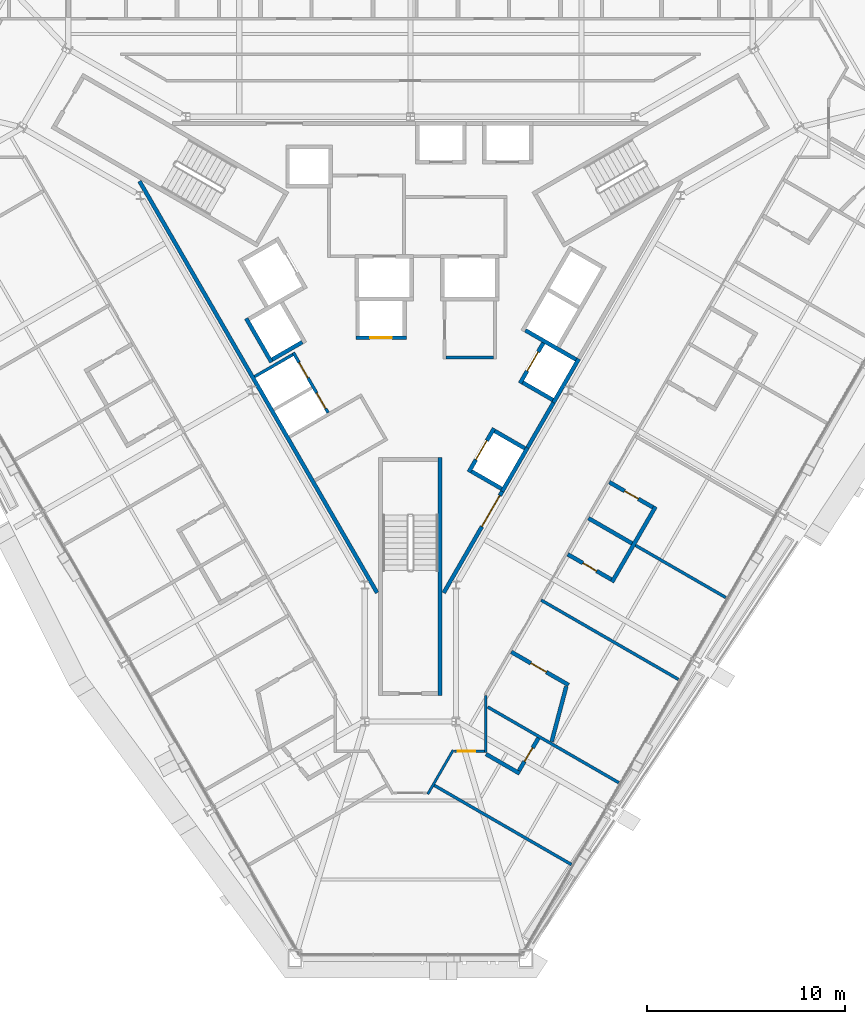
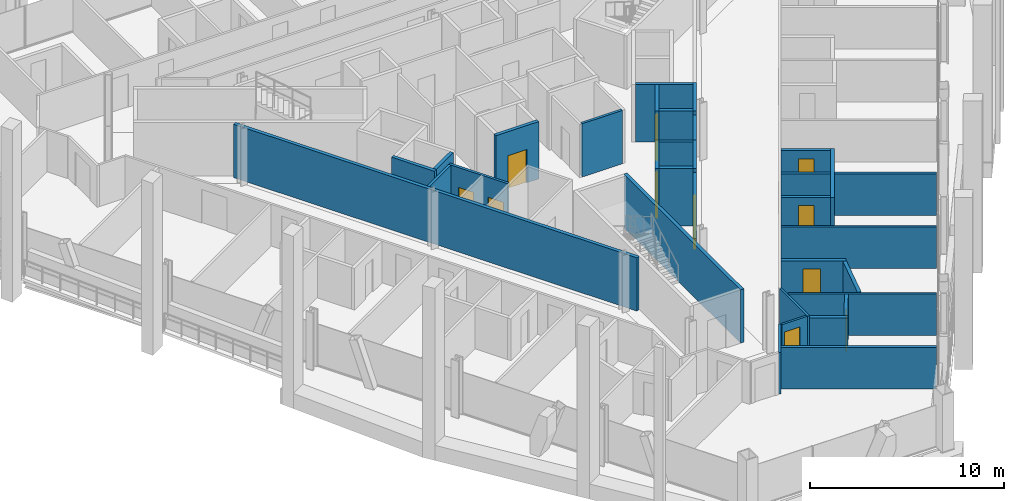
# One storey, part 12 of 19: 33 walls, 11 doors, 11 openings.
"""IFC4 building model written with IfcOpenShell, lengths in metres."""

from ifc_helpers import new_model, si_unit, direction, frame, frame_2d, origin, place, context, subcontext, project, spatial, rectangle, extrude, material, layer, layer_set, type_object, element, fill, save


model = new_model("IFC4")

# Units and contexts
model_context = context("Model", 3, precision=1e-05, world=origin(), true_north=direction((0.0, 1.0)))
body_context = subcontext(model_context, "Body", "Model", "MODEL_VIEW")
ifc_project = project(units=[si_unit("LENGTHUNIT", "METRE"), si_unit("AREAUNIT", "SQUARE_METRE"), si_unit("VOLUMEUNIT", "CUBIC_METRE"), si_unit("PLANEANGLEUNIT", "RADIAN"), si_unit("MASSUNIT", "GRAM", prefix="KILO")], contexts=[model_context])

# Site, building, storey
site_placement = place(None, origin())
site = spatial("IfcSite", under=ifc_project, at=site_placement, CompositionType="ELEMENT")
building_placement = place(site_placement, origin())
building = spatial("IfcBuilding", under=site, at=building_placement, Name="Verrane Prism Tower", CompositionType="ELEMENT")
storey_placement = place(building_placement, frame((0.0, 0.0, 76.39990234375)))
storey = spatial("IfcBuildingStorey", under=building, at=storey_placement, Name="L17", CompositionType="ELEMENT", Elevation=76.39990234375)

# Wall
ifc_material_1 = material(Name="Gypsum board partition", Category="other")
ifc_layer_1 = layer(ifc_material_1, 0.199951171875)
ifc_layer_set_1 = layer_set([ifc_layer_1], Name="CW-200 core boundary wall 2 h")
wall_type_1 = type_object("IfcWallType", Name="CW-200 core boundary wall 2 h", PredefinedType="PARTITIONING", material=ifc_layer_set_1)
wall_1_placement = place(storey_placement, frame((-13.66357421875, 5.946044921875, 0.0), z_axis=(0.0, 0.0, 1.0), x_axis=(0.499994327219, -0.866028678941, 0.0)))
element("IfcWall", 1, at=wall_1_placement, inside=storey, type_object=wall_type_1, Name="Core boundary wall CW3-001", PredefinedType="PARTITIONING", context=body_context, shape_type="SweptSolid", body=[
    extrude(rectangle(XDim=23.967529296875, YDim=0.199951171875, at=frame_2d((11.98388671875, 0.0))), origin(), (0.0, 0.0, 1.0), 3.35009765625),
])

# Wall, opening, door
wall_2_placement = place(storey_placement, frame((1.677490234375, -14.814697265625, 0.0), z_axis=(0.0, 0.0, 1.0), x_axis=(0.49999445743, 0.866028603765, 0.0)))
wall_2 = element("IfcWall", 2, at=wall_2_placement, inside=storey, type_object=wall_type_1, Name="Core boundary wall CW3-003", PredefinedType="PARTITIONING", context=body_context, shape_type="SweptSolid", body=[
    extrude(rectangle(XDim=5.90478515625, YDim=0.199951171875, at=frame_2d((2.952392578125, 0.0))), origin(), (0.0, 0.0, 1.0), 3.35009765625),
])
opening_1_placement = place(wall_2_placement, frame((3.85498046875, 0.0, 0.0)))
opening_1 = element("IfcOpeningElement", 3, at=opening_1_placement, cuts=wall_2, Name="Opening D17517", PredefinedType="OPENING", context=body_context, shape_type="SweptSolid", body=[
    extrude(rectangle(XDim=1.800048828125, YDim=2.10009765625, at=frame_2d((0.89990234375, 1.050048828125))), frame((0.0, 0.10986328125, 0.0), z_axis=(0.0, -1.0, 0.0), x_axis=(1.0, 0.0, 0.0)), (0.0, 0.0, 1.0), 0.219970703125),
])
ifc_material_2 = material(Name="Timber veneered door leaf", Category="wood")
door_type_1 = type_object("IfcDoorType", Name="DR-1800x2100 FD60 double leaf lift lobby", OperationType="NOTDEFINED", PredefinedType="DOOR", material=ifc_material_2)
door_1_placement = place(opening_1_placement, origin())
door_1 = element("IfcDoor", 4, at=door_1_placement, inside=storey, type_object=door_type_1, Name="Lift lobby door D17517", OperationType="DOUBLE_DOOR_SINGLE_SWING", OverallHeight=2.10009765625, OverallWidth=1.800048828125, PredefinedType="DOOR", context=body_context, shape_type="SweptSolid", body=[
    extrude(rectangle(XDim=1.800048828125, YDim=2.10009765625, at=frame_2d((0.89990234375, 1.050048828125))), frame((0.0, 0.02490234375, 0.0), z_axis=(0.0, -1.0, 0.0), x_axis=(1.0, 0.0, 0.0)), (0.0, 0.0, 1.0), 0.050048828125),
])
fill(opening_1, door_1)

# Walls
wall_3_placement = place(storey_placement, frame((5.906005859375, -7.489990234375, 0.0), z_axis=(0.0, 0.0, 1.0), x_axis=(0.500252727967, 0.865879442048, 0.0)))
element("IfcWall", 5, at=wall_3_placement, inside=storey, type_object=wall_type_1, Name="Core boundary wall CW3-005", PredefinedType="PARTITIONING", context=body_context, shape_type="SweptSolid", body=[
    extrude(rectangle(XDim=2.616943359375, YDim=0.199951171875, at=frame_2d((1.30859375, 0.0))), origin(), (0.0, 0.0, 1.0), 3.35009765625),
])
ifc_material_3 = material(Name="Concrete C40/50", Category="concrete")
ifc_layer_2 = layer(ifc_material_3, 0.199951171875)
ifc_layer_set_2 = layer_set([ifc_layer_2], Name="CW-200 stair core wall concrete C40/50 3 h")
wall_type_2 = type_object("IfcWallType", Name="CW-200 stair core wall concrete C40/50 3 h", PredefinedType="PARTITIONING", material=ifc_layer_set_2)
wall_4_placement = place(storey_placement, frame((1.5, -8.0, 0.0), z_axis=(0.0, 0.0, 1.0), x_axis=(0.0, -1.0, 0.0)))
element("IfcWall", 6, at=wall_4_placement, inside=storey, type_object=wall_type_2, Name="Stair 3 enclosure wall", PredefinedType="PARTITIONING", context=body_context, shape_type="SweptSolid", body=[
    extrude(rectangle(XDim=12.0, YDim=0.199951171875, at=frame_2d((6.0, 0.0))), origin(), (0.0, 0.0, 1.0), 3.35009765625),
])

# Wall, opening, door
ifc_material_4 = material(Name="Gypsum board shaft wall assembly", Category="other")
ifc_layer_3 = layer(ifc_material_4, 0.199951171875)
ifc_layer_set_3 = layer_set([ifc_layer_3], Name="HW-200 lift shaft wall 2 h")
wall_type_3 = type_object("IfcWallType", Name="HW-200 lift shaft wall 2 h", PredefinedType="PARTITIONING", material=ifc_layer_set_3)
wall_5_placement = place(storey_placement, frame((-2.7548828125, -1.949951171875, 0.0), z_axis=(0.0, 0.0, 1.0), x_axis=(1.0, 0.0, 0.0)))
wall_5 = element("IfcWall", 7, at=wall_5_placement, inside=storey, type_object=wall_type_3, Name="Lift shaft wall", PredefinedType="PARTITIONING", context=body_context, shape_type="SweptSolid", body=[
    extrude(rectangle(XDim=2.5498046875, YDim=0.199951171875, at=frame_2d((1.27490234375, 0.0))), origin(), (0.0, 0.0, 1.0), 3.60009765625),
])
opening_2_placement = place(wall_5_placement, frame((0.72509765625, 0.0, 0.0)))
opening_2 = element("IfcOpeningElement", 8, at=opening_2_placement, cuts=wall_5, Name="Opening D17504", PredefinedType="OPENING", context=body_context, shape_type="SweptSolid", body=[
    extrude(rectangle(XDim=1.10009765625, YDim=2.10009765625, at=frame_2d((0.550048828125, 1.050048828125))), frame((0.0, 0.10986328125, 0.0), z_axis=(0.0, -1.0, 0.0), x_axis=(1.0, 0.0, 0.0)), (0.0, 0.0, 1.0), 0.219970703125),
])
ifc_material_5 = material(Name="Stainless steel sliding landing door", Category="steel")
door_type_2 = type_object("IfcDoorType", Name="LD-1100x2100 lift landing door FD90 sliding", OperationType="NOTDEFINED", PredefinedType="DOOR", material=ifc_material_5)
door_2_placement = place(opening_2_placement, origin())
door_2 = element("IfcDoor", 9, at=door_2_placement, inside=storey, type_object=door_type_2, Name="Bank A lift 2 landing door", OperationType="SLIDING_TO_RIGHT", OverallHeight=2.10009765625, OverallWidth=1.10009765625, PredefinedType="DOOR", context=body_context, shape_type="SweptSolid", body=[
    extrude(rectangle(XDim=1.10009765625, YDim=2.10009765625, at=frame_2d((0.550048828125, 1.050048828125))), frame((0.0, 0.02490234375, 0.0), z_axis=(0.0, -1.0, 0.0), x_axis=(1.0, 0.0, 0.0)), (0.0, 0.0, 1.0), 0.050048828125),
])
fill(opening_2, door_2)

# Walls
wall_6_placement = place(storey_placement, frame((-6.9697265625, -3.048095703125, 0.0), z_axis=(0.0, 0.0, 1.0), x_axis=(0.866036909293, 0.499980071345, 0.0)))
element("IfcWall", 10, at=wall_6_placement, inside=storey, type_object=wall_type_3, Name="Lift shaft wall", PredefinedType="PARTITIONING", context=body_context, shape_type="SweptSolid", body=[
    extrude(rectangle(XDim=1.75, YDim=0.199951171875, at=frame_2d((0.875, 0.0))), origin(), (0.0, 0.0, 1.0), 3.60009765625),
])
wall_7_placement = place(storey_placement, frame((4.63037109375, -9.69970703125, 0.0), z_axis=(0.0, 0.0, 1.0), x_axis=(0.500062241894, 0.865989465428, 0.0)))
element("IfcWall", 11, at=wall_7_placement, inside=storey, type_object=wall_type_3, Name="Lift shaft wall", PredefinedType="PARTITIONING", context=body_context, shape_type="SweptSolid", body=[
    extrude(rectangle(XDim=2.550048828125, YDim=0.199951171875, at=frame_2d((1.27490234375, 0.0))), origin(), (0.0, 0.0, 1.0), 3.60009765625),
])
wall_8_placement = place(storey_placement, frame((7.215576171875, -5.222412109375, 0.0), z_axis=(0.0, 0.0, 1.0), x_axis=(0.499990435942, 0.866030925526, 0.0)))
element("IfcWall", 12, at=wall_8_placement, inside=storey, type_object=wall_type_3, Name="Lift shaft wall", PredefinedType="PARTITIONING", context=body_context, shape_type="SweptSolid", body=[
    extrude(rectangle(XDim=2.5498046875, YDim=0.199951171875, at=frame_2d((1.27490234375, 0.0))), origin(), (0.0, 0.0, 1.0), 3.60009765625),
])

# Wall, opening, door
wall_9_placement = place(storey_placement, frame((2.941650390625, -8.724853515625, 0.0), z_axis=(0.0, 0.0, 1.0), x_axis=(0.500020783669, 0.866013403995, 0.0)))
wall_9 = element("IfcWall", 13, at=wall_9_placement, inside=storey, type_object=wall_type_3, Name="Lift shaft wall", PredefinedType="PARTITIONING", context=body_context, shape_type="SweptSolid", body=[
    extrude(rectangle(XDim=2.55029296875, YDim=0.199951171875, at=frame_2d((1.275146484375, 0.0))), origin(), (0.0, 0.0, 1.0), 3.60009765625),
])
opening_3_placement = place(wall_9_placement, frame((0.72509765625, 0.0, 0.0)))
opening_3 = element("IfcOpeningElement", 14, at=opening_3_placement, cuts=wall_9, Name="Opening D17506", PredefinedType="OPENING", context=body_context, shape_type="SweptSolid", body=[
    extrude(rectangle(XDim=1.10009765625, YDim=2.10009765625, at=frame_2d((0.550048828125, 1.050048828125))), frame((0.0, 0.10986328125, 0.0), z_axis=(0.0, -1.0, 0.0), x_axis=(1.0, 0.0, 0.0)), (0.0, 0.0, 1.0), 0.219970703125),
])
door_3_placement = place(opening_3_placement, origin())
door_3 = element("IfcDoor", 15, at=door_3_placement, inside=storey, type_object=door_type_2, Name="Bank A lift 4 landing door", OperationType="SLIDING_TO_RIGHT", OverallHeight=2.10009765625, OverallWidth=1.10009765625, PredefinedType="DOOR", context=body_context, shape_type="SweptSolid", body=[
    extrude(rectangle(XDim=1.10009765625, YDim=2.10009765625, at=frame_2d((0.550048828125, 1.050048828125))), frame((0.0, 0.02490234375, 0.0), z_axis=(0.0, -1.0, 0.0), x_axis=(1.0, 0.0, 0.0)), (0.0, 0.0, 1.0), 0.050048828125),
])
fill(opening_3, door_3)

wall_10_placement = place(storey_placement, frame((5.52685546875, -4.247314453125, 0.0), z_axis=(0.0, 0.0, 1.0), x_axis=(0.499938297808, 0.866061024631, 0.0)))
wall_10 = element("IfcWall", 16, at=wall_10_placement, inside=storey, type_object=wall_type_3, Name="Lift shaft wall", PredefinedType="PARTITIONING", context=body_context, shape_type="SweptSolid", body=[
    extrude(rectangle(XDim=2.349853515625, YDim=0.199951171875, at=frame_2d((1.1748046875, 0.0))), origin(), (0.0, 0.0, 1.0), 3.60009765625),
])
opening_4_placement = place(wall_10_placement, frame((0.72509765625, 0.0, 0.0)))
opening_4 = element("IfcOpeningElement", 17, at=opening_4_placement, cuts=wall_10, Name="Opening D17507", PredefinedType="OPENING", context=body_context, shape_type="SweptSolid", body=[
    extrude(rectangle(XDim=1.10009765625, YDim=2.10009765625, at=frame_2d((0.550048828125, 1.050048828125))), frame((0.0, 0.10986328125, 0.0), z_axis=(0.0, -1.0, 0.0), x_axis=(1.0, 0.0, 0.0)), (0.0, 0.0, 1.0), 0.219970703125),
])
door_4_placement = place(opening_4_placement, origin())
door_4 = element("IfcDoor", 18, at=door_4_placement, inside=storey, type_object=door_type_2, Name="Bank A lift 5 landing door", OperationType="SLIDING_TO_LEFT", OverallHeight=2.10009765625, OverallWidth=1.10009765625, PredefinedType="DOOR", context=body_context, shape_type="SweptSolid", body=[
    extrude(rectangle(XDim=1.10009765625, YDim=2.10009765625, at=frame_2d((0.550048828125, 1.050048828125))), frame((0.0, 0.02490234375, 0.0), z_axis=(0.0, -1.0, 0.0), x_axis=(1.0, 0.0, 0.0)), (0.0, 0.0, 1.0), 0.050048828125),
])
fill(opening_4, door_4)

# Walls
wall_11_placement = place(storey_placement, frame((-7.00634765625, -3.184814453125, 0.0), z_axis=(0.0, 0.0, 1.0), x_axis=(-0.499990435942, 0.866030925526, 0.0)))
element("IfcWall", 19, at=wall_11_placement, inside=storey, type_object=wall_type_3, Name="Lift shaft wall", PredefinedType="PARTITIONING", context=body_context, shape_type="SweptSolid", body=[
    extrude(rectangle(XDim=2.5498046875, YDim=0.199951171875, at=frame_2d((1.27490234375, 0.0))), origin(), (0.0, 0.0, 1.0), 3.60009765625),
])
wall_12_placement = place(storey_placement, frame((8.35400390625, -3.050537109375, 0.0), z_axis=(0.0, 0.0, 1.0), x_axis=(-0.866060182126, 0.499939757307, 0.0)))
element("IfcWall", 20, at=wall_12_placement, inside=storey, type_object=wall_type_3, Name="Lift shaft wall", PredefinedType="PARTITIONING", context=body_context, shape_type="SweptSolid", body=[
    extrude(rectangle(XDim=2.949951171875, YDim=0.199951171875, at=frame_2d((1.47509765625, 0.0))), origin(), (0.0, 0.0, 1.0), 3.60009765625),
])
wall_13_placement = place(storey_placement, frame((7.178955078125, -5.085693359375, 0.0), z_axis=(0.0, 0.0, 1.0), x_axis=(-0.866036909293, 0.499980071345, 0.0)))
element("IfcWall", 21, at=wall_13_placement, inside=storey, type_object=wall_type_3, Name="Lift shaft wall", PredefinedType="PARTITIONING", context=body_context, shape_type="SweptSolid", body=[
    extrude(rectangle(XDim=1.75, YDim=0.199951171875, at=frame_2d((0.875, 0.0))), origin(), (0.0, 0.0, 1.0), 3.60009765625),
])
wall_14_placement = place(storey_placement, frame((5.768798828125, -7.528076171875, 0.0), z_axis=(0.0, 0.0, 1.0), x_axis=(-0.866002029911, 0.500040482552, 0.0)))
element("IfcWall", 22, at=wall_14_placement, inside=storey, type_object=wall_type_3, Name="Lift shaft wall", PredefinedType="PARTITIONING", context=body_context, shape_type="SweptSolid", body=[
    extrude(rectangle(XDim=1.749755859375, YDim=0.199951171875, at=frame_2d((0.875, 0.0))), origin(), (0.0, 0.0, 1.0), 3.60009765625),
])
wall_15_placement = place(storey_placement, frame((4.593994140625, -9.563232421875, 0.0), z_axis=(0.0, 0.0, 1.0), x_axis=(-0.866036909293, 0.499980071345, 0.0)))
element("IfcWall", 23, at=wall_15_placement, inside=storey, type_object=wall_type_3, Name="Lift shaft wall", PredefinedType="PARTITIONING", context=body_context, shape_type="SweptSolid", body=[
    extrude(rectangle(XDim=1.75, YDim=0.199951171875, at=frame_2d((0.875, 0.0))), origin(), (0.0, 0.0, 1.0), 3.60009765625),
])
ifc_material_6 = material(Name="Gypsum board partition", Category="other")
ifc_layer_4 = layer(ifc_material_6, 0.125)
ifc_layer_set_4 = layer_set([ifc_layer_4], Name="PW-125 corridor wall 1 h")
wall_type_4 = type_object("IfcWallType", Name="PW-125 corridor wall 1 h", PredefinedType="PARTITIONING", material=ifc_layer_set_4)
wall_16_placement = place(storey_placement, frame((0.876708984375, -24.962158203125, 0.0), z_axis=(0.0, 0.0, 1.0), x_axis=(0.500063308241, 0.865988849669, 0.0)))
element("IfcWall", 24, at=wall_16_placement, inside=storey, type_object=wall_type_4, Name="Corridor wall 049", PredefinedType="PARTITIONING", context=body_context, shape_type="SweptSolid", body=[
    extrude(rectangle(XDim=2.562744140625, YDim=0.125, at=frame_2d((1.28125, 0.0))), origin(), (0.0, 0.0, 1.0), 2.613037109375),
])

# Wall, opening, door
wall_17_placement = place(storey_placement, frame((3.73193359375, -22.797119140625, 0.0), z_axis=(0.0, 0.0, 1.0), x_axis=(-1.0, 0.0, 0.0)))
wall_17 = element("IfcWall", 25, at=wall_17_placement, inside=storey, type_object=wall_type_4, Name="Corridor wall 051", PredefinedType="PARTITIONING", context=body_context, shape_type="SweptSolid", body=[
    extrude(rectangle(XDim=1.52001953125, YDim=0.125, at=frame_2d((0.760009765625, 0.0))), origin(), (0.0, 0.0, 1.0), 2.613037109375),
])
opening_5_placement = place(wall_17_placement, frame((0.455078125, 0.0, 0.0)))
opening_5 = element("IfcOpeningElement", 26, at=opening_5_placement, cuts=wall_17, Name="Opening D17001", PredefinedType="OPENING", context=body_context, shape_type="SweptSolid", body=[
    extrude(rectangle(XDim=0.89990234375, YDim=2.10009765625, at=frame_2d((0.449951171875, 1.050048828125))), frame((0.0, 0.072509765625, 0.0), z_axis=(0.0, -1.0, 0.0), x_axis=(1.0, 0.0, 0.0)), (0.0, 0.0, 1.0), 0.14501953125),
])
ifc_material_7 = material(Name="Timber veneered door leaf", Category="wood")
door_type_3 = type_object("IfcDoorType", Name="DR-900x2100 FD20 single leaf unit", OperationType="NOTDEFINED", PredefinedType="DOOR", material=ifc_material_7)
door_5_placement = place(opening_5_placement, origin())
door_5 = element("IfcDoor", 27, at=door_5_placement, inside=storey, type_object=door_type_3, Name="Guest Room door", OperationType="SINGLE_SWING_LEFT", OverallHeight=2.10009765625, OverallWidth=0.89990234375, PredefinedType="DOOR", context=body_context, shape_type="SweptSolid", body=[
    extrude(rectangle(XDim=0.89990234375, YDim=2.10009765625, at=frame_2d((0.449951171875, 1.050048828125))), frame((0.0, 0.02490234375, 0.0), z_axis=(0.0, -1.0, 0.0), x_axis=(1.0, 0.0, 0.0)), (0.0, 0.0, 1.0), 0.050048828125),
])
fill(opening_5, door_5)

# Walls
wall_18_placement = place(storey_placement, frame((3.797119140625, -22.859619140625, 0.0), z_axis=(0.0, 0.0, 1.0), x_axis=(0.0, 1.0, 0.0)))
element("IfcWall", 28, at=wall_18_placement, inside=storey, type_object=wall_type_4, Name="Corridor wall 054", PredefinedType="PARTITIONING", context=body_context, shape_type="SweptSolid", body=[
    extrude(rectangle(XDim=2.87060546875, YDim=0.125, at=frame_2d((1.435302734375, 0.0))), origin(), (0.0, 0.0, 1.0), 2.613037109375),
])
ifc_material_8 = material(Name="Gypsum board partition", Category="other")
ifc_layer_5 = layer(ifc_material_8, 0.14990234375)
ifc_layer_set_5 = layer_set([ifc_layer_5], Name="PW-150 demising wall 1 h")
wall_type_5 = type_object("IfcWallType", Name="PW-150 demising wall 1 h", PredefinedType="PARTITIONING", material=ifc_layer_set_5)
wall_19_placement = place(storey_placement, frame((1.203125, -24.522216796875, 0.0), z_axis=(0.0, 0.0, 1.0), x_axis=(0.866021771655, -0.500006290979, 0.0)))
element("IfcWall", 29, at=wall_19_placement, inside=storey, type_object=wall_type_5, Name="Demising wall 050", PredefinedType="PARTITIONING", context=body_context, shape_type="SweptSolid", body=[
    extrude(rectangle(XDim=7.99169921875, YDim=0.14990234375, at=frame_2d((3.995849609375, 0.0))), origin(), (0.0, 0.0, 1.0), 2.613037109375),
])
wall_20_placement = place(storey_placement, frame((3.89697265625, -20.56982421875, 0.0), z_axis=(0.0, 0.0, 1.0), x_axis=(0.866030628547, -0.499990950336, 0.0)))
element("IfcWall", 30, at=wall_20_placement, inside=storey, type_object=wall_type_5, Name="Demising wall 055", PredefinedType="PARTITIONING", context=body_context, shape_type="SweptSolid", body=[
    extrude(rectangle(XDim=7.635009765625, YDim=0.14990234375, at=frame_2d((3.8173828125, 0.0))), origin(), (0.0, 0.0, 1.0), 2.613037109375),
])
wall_21_placement = place(storey_placement, frame((6.59521484375, -15.183349609375, 0.0), z_axis=(0.0, 0.0, 1.0), x_axis=(0.866014133745, -0.500019519773, 0.0)))
element("IfcWall", 31, at=wall_21_placement, inside=storey, type_object=wall_type_5, Name="Demising wall 060", PredefinedType="PARTITIONING", context=body_context, shape_type="SweptSolid", body=[
    extrude(rectangle(XDim=7.991455078125, YDim=0.14990234375, at=frame_2d((3.99560546875, 0.0))), origin(), (0.0, 0.0, 1.0), 2.613037109375),
])
wall_22_placement = place(storey_placement, frame((11.35498046875, -12.423583984375, 0.0), z_axis=(0.0, 0.0, 1.0), x_axis=(0.866030680601, -0.499990860175, 0.0)))
element("IfcWall", 32, at=wall_22_placement, inside=storey, type_object=wall_type_5, Name="Demising wall 070", PredefinedType="PARTITIONING", context=body_context, shape_type="SweptSolid", body=[
    extrude(rectangle(XDim=5.2490234375, YDim=0.14990234375, at=frame_2d((2.62451171875, 0.0))), origin(), (0.0, 0.0, 1.0), 2.613037109375),
])
ifc_material_9 = material(Name="Gypsum board partition", Category="other")
ifc_layer_6 = layer(ifc_material_9, 0.199951171875)
ifc_layer_set_6 = layer_set([ifc_layer_6], Name="PW-200 plumbing wall")
wall_type_6 = type_object("IfcWallType", Name="PW-200 plumbing wall", PredefinedType="PARTITIONING", material=ifc_layer_set_6)
wall_23_placement = place(storey_placement, frame((3.813232421875, -22.946044921875, 0.0), z_axis=(0.0, 0.0, 1.0), x_axis=(0.865944380701, -0.500140309845, 0.0)))
element("IfcWall", 33, at=wall_23_placement, inside=storey, type_object=wall_type_6, Name="Plumbing wall 053", PredefinedType="PARTITIONING", context=body_context, shape_type="SweptSolid", body=[
    extrude(rectangle(XDim=1.95556640625, YDim=0.199951171875, at=frame_2d((0.977783203125, 0.0))), origin(), (0.0, 0.0, 1.0), 2.613037109375),
])

# Wall, opening, door
wall_24_placement = place(storey_placement, frame((7.978515625, -19.4619140625, 0.0), z_axis=(0.0, 0.0, 1.0), x_axis=(-0.866033317326, 0.499986293093, 0.0)))
wall_24 = element("IfcWall", 34, at=wall_24_placement, inside=storey, type_object=wall_type_6, Name="Plumbing wall 058", PredefinedType="PARTITIONING", context=body_context, shape_type="SweptSolid", body=[
    extrude(rectangle(XDim=3.33740234375, YDim=0.199951171875, at=frame_2d((1.668701171875, 0.0))), origin(), (0.0, 0.0, 1.0), 2.613037109375),
])
opening_6_placement = place(wall_24_placement, frame((1.300048828125, 0.0, 0.0)))
opening_6 = element("IfcOpeningElement", 35, at=opening_6_placement, cuts=wall_24, Name="Opening D17004", PredefinedType="OPENING", context=body_context, shape_type="SweptSolid", body=[
    extrude(rectangle(XDim=0.89990234375, YDim=2.10009765625, at=frame_2d((0.449951171875, 1.050048828125))), frame((0.0, 0.10986328125, 0.0), z_axis=(0.0, -1.0, 0.0), x_axis=(1.0, 0.0, 0.0)), (0.0, 0.0, 1.0), 0.219970703125),
])
ifc_material_10 = material(Name="Timber veneered door leaf", Category="wood")
door_type_4 = type_object("IfcDoorType", Name="DR-900x2100 single leaf bath", OperationType="NOTDEFINED", PredefinedType="DOOR", material=ifc_material_10)
door_6_placement = place(opening_6_placement, origin())
door_6 = element("IfcDoor", 36, at=door_6_placement, inside=storey, type_object=door_type_4, Name="En-Suite door", OperationType="SINGLE_SWING_LEFT", OverallHeight=2.10009765625, OverallWidth=0.89990234375, PredefinedType="DOOR", context=body_context, shape_type="SweptSolid", body=[
    extrude(rectangle(XDim=0.89990234375, YDim=2.10009765625, at=frame_2d((0.449951171875, 1.050048828125))), frame((0.0, 0.02490234375, 0.0), z_axis=(0.0, -1.0, 0.0), x_axis=(1.0, 0.0, 0.0)), (0.0, 0.0, 1.0), 0.050048828125),
])
fill(opening_6, door_6)

wall_25_placement = place(storey_placement, frame((5.473876953125, -23.783935546875, 0.0), z_axis=(0.0, 0.0, 1.0), x_axis=(0.512791921509, 0.858512926656, 0.0)))
wall_25 = element("IfcWall", 37, at=wall_25_placement, inside=storey, type_object=wall_type_6, Name="Plumbing wall 059", PredefinedType="PARTITIONING", context=body_context, shape_type="SweptSolid", body=[
    extrude(rectangle(XDim=1.918701171875, YDim=0.199951171875, at=frame_2d((0.95947265625, 0.0))), origin(), (0.0, 0.0, 1.0), 2.613037109375),
])
opening_7_placement = place(wall_25_placement, frame((0.544921875, 0.0, 0.0)))
opening_7 = element("IfcOpeningElement", 38, at=opening_7_placement, cuts=wall_25, Name="Opening D17002", PredefinedType="OPENING", context=body_context, shape_type="SweptSolid", body=[
    extrude(rectangle(XDim=0.800048828125, YDim=2.10009765625, at=frame_2d((0.39990234375, 1.050048828125))), frame((0.0, 0.10986328125, 0.0), z_axis=(0.0, -1.0, 0.0), x_axis=(1.0, 0.0, 0.0)), (0.0, 0.0, 1.0), 0.219970703125),
])
ifc_material_11 = material(Name="Timber veneered door leaf", Category="wood")
door_type_5 = type_object("IfcDoorType", Name="DR-800x2100 single leaf bath", OperationType="NOTDEFINED", PredefinedType="DOOR", material=ifc_material_11)
door_7_placement = place(opening_7_placement, origin())
door_7 = element("IfcDoor", 39, at=door_7_placement, inside=storey, type_object=door_type_5, Name="En-Suite door", OperationType="SINGLE_SWING_LEFT", OverallHeight=2.10009765625, OverallWidth=0.800048828125, PredefinedType="DOOR", context=body_context, shape_type="SweptSolid", body=[
    extrude(rectangle(XDim=0.800048828125, YDim=2.10009765625, at=frame_2d((0.39990234375, 1.050048828125))), frame((0.0, 0.02490234375, 0.0), z_axis=(0.0, -1.0, 0.0), x_axis=(1.0, 0.0, 0.0)), (0.0, 0.0, 1.0), 0.050048828125),
])
fill(opening_7, door_7)

# Wall
wall_26_placement = place(storey_placement, frame((7.123779296875, -22.316650390625, 0.0), z_axis=(0.0, 0.0, 1.0), x_axis=(0.255720101769, 0.966750862193, 0.0)))
element("IfcWall", 40, at=wall_26_placement, inside=storey, type_object=wall_type_6, Name="Plumbing wall 061", PredefinedType="PARTITIONING", context=body_context, shape_type="SweptSolid", body=[
    extrude(rectangle(XDim=2.87939453125, YDim=0.199951171875, at=frame_2d((1.439697265625, 0.0))), origin(), (0.0, 0.0, 1.0), 2.613037109375),
])

# Wall, opening, door
wall_27_placement = place(storey_placement, frame((7.9345703125, -12.872802734375, 0.0), z_axis=(0.0, 0.0, 1.0), x_axis=(0.866015388607, -0.500017346395, 0.0)))
wall_27 = element("IfcWall", 41, at=wall_27_placement, inside=storey, type_object=wall_type_6, Name="Plumbing wall 064", PredefinedType="PARTITIONING", context=body_context, shape_type="SweptSolid", body=[
    extrude(rectangle(XDim=2.5322265625, YDim=0.199951171875, at=frame_2d((1.26611328125, 0.0))), origin(), (0.0, 0.0, 1.0), 2.613037109375),
])
opening_8_placement = place(wall_27_placement, frame((0.882568359375, 0.0, 0.0)))
opening_8 = element("IfcOpeningElement", 42, at=opening_8_placement, cuts=wall_27, Name="Opening D17006", PredefinedType="OPENING", context=body_context, shape_type="SweptSolid", body=[
    extrude(rectangle(XDim=0.800048828125, YDim=2.10009765625, at=frame_2d((0.39990234375, 1.050048828125))), frame((0.0, 0.10986328125, 0.0), z_axis=(0.0, -1.0, 0.0), x_axis=(1.0, 0.0, 0.0)), (0.0, 0.0, 1.0), 0.219970703125),
])
door_8_placement = place(opening_8_placement, origin())
door_8 = element("IfcDoor", 43, at=door_8_placement, inside=storey, type_object=door_type_5, Name="En-Suite door", OperationType="SINGLE_SWING_LEFT", OverallHeight=2.10009765625, OverallWidth=0.800048828125, PredefinedType="DOOR", context=body_context, shape_type="SweptSolid", body=[
    extrude(rectangle(XDim=0.800048828125, YDim=2.10009765625, at=frame_2d((0.39990234375, 1.050048828125))), frame((0.0, 0.02490234375, 0.0), z_axis=(0.0, -1.0, 0.0), x_axis=(1.0, 0.0, 0.0)), (0.0, 0.0, 1.0), 0.050048828125),
])
fill(opening_8, door_8)

# Wall
wall_28_placement = place(storey_placement, frame((8.980224609375, -11.05224609375, 0.0), z_axis=(0.0, 0.0, 1.0), x_axis=(0.865990087344, -0.500061164881, 0.0)))
element("IfcWall", 44, at=wall_28_placement, inside=storey, type_object=wall_type_6, Name="Plumbing wall 065", PredefinedType="PARTITIONING", context=body_context, shape_type="SweptSolid", body=[
    extrude(rectangle(XDim=2.537353515625, YDim=0.199951171875, at=frame_2d((1.2685546875, 0.0))), origin(), (0.0, 0.0, 1.0), 2.613037109375),
])

# Wall, opening, door
wall_29_placement = place(storey_placement, frame((12.228271484375, -10.501953125, 0.0), z_axis=(0.0, 0.0, 1.0), x_axis=(-0.866111763775, 0.499850390267, 0.0)))
wall_29 = element("IfcWall", 45, at=wall_29_placement, inside=storey, type_object=wall_type_6, Name="Plumbing wall 068", PredefinedType="PARTITIONING", context=body_context, shape_type="SweptSolid", body=[
    extrude(rectangle(XDim=2.532958984375, YDim=0.199951171875, at=frame_2d((1.2666015625, 0.0))), origin(), (0.0, 0.0, 1.0), 2.613037109375),
])
opening_9_placement = place(wall_29_placement, frame((0.8505859375, 0.0, 0.0)))
opening_9 = element("IfcOpeningElement", 46, at=opening_9_placement, cuts=wall_29, Name="Opening D17008", PredefinedType="OPENING", context=body_context, shape_type="SweptSolid", body=[
    extrude(rectangle(XDim=0.800048828125, YDim=2.10009765625, at=frame_2d((0.39990234375, 1.050048828125))), frame((0.0, 0.10986328125, 0.0), z_axis=(0.0, -1.0, 0.0), x_axis=(1.0, 0.0, 0.0)), (0.0, 0.0, 1.0), 0.219970703125),
])
door_9_placement = place(opening_9_placement, origin())
door_9 = element("IfcDoor", 47, at=door_9_placement, inside=storey, type_object=door_type_5, Name="En-Suite door", OperationType="SINGLE_SWING_LEFT", OverallHeight=2.10009765625, OverallWidth=0.800048828125, PredefinedType="DOOR", context=body_context, shape_type="SweptSolid", body=[
    extrude(rectangle(XDim=0.800048828125, YDim=2.10009765625, at=frame_2d((0.39990234375, 1.050048828125))), frame((0.0, 0.02490234375, 0.0), z_axis=(0.0, -1.0, 0.0), x_axis=(1.0, 0.0, 0.0)), (0.0, 0.0, 1.0), 0.050048828125),
])
fill(opening_9, door_9)

# Walls
wall_30_placement = place(storey_placement, frame((10.1640625, -14.275634765625, 0.0), z_axis=(0.0, 0.0, 1.0), x_axis=(0.50017868667, 0.865922214405, 0.0)))
element("IfcWall", 48, at=wall_30_placement, inside=storey, type_object=wall_type_6, Name="Plumbing wall 069", PredefinedType="PARTITIONING", context=body_context, shape_type="SweptSolid", body=[
    extrude(rectangle(XDim=4.400390625, YDim=0.199951171875, at=frame_2d((2.2001953125, 0.0))), origin(), (0.0, 0.0, 1.0), 2.613037109375),
])
ifc_material_12 = material(Name="Gypsum board partition", Category="other")
ifc_layer_7 = layer(ifc_material_12, 0.14990234375)
ifc_layer_set_7 = layer_set([ifc_layer_7], Name="RS-150 riser enclosure wall 1 h")
wall_type_7 = type_object("IfcWallType", Name="RS-150 riser enclosure wall 1 h", PredefinedType="PARTITIONING", material=ifc_layer_set_7)
wall_31_placement = place(storey_placement, frame((-7.8564453125, -3.912109375, 0.0), z_axis=(0.0, 0.0, 1.0), x_axis=(0.865971748, 0.500092923031, 0.0)))
element("IfcWall", 49, at=wall_31_placement, inside=storey, type_object=wall_type_7, Name="Riser wall RS3-001", PredefinedType="PARTITIONING", context=body_context, shape_type="SweptSolid", body=[
    extrude(rectangle(XDim=2.224609375, YDim=0.14990234375, at=frame_2d((1.1123046875, 0.0))), origin(), (0.0, 0.0, 1.0), 3.35009765625),
])

# Wall, openings, doors
wall_32_placement = place(storey_placement, frame((-4.152099609375, -5.728759765625, 0.0), z_axis=(0.0, 0.0, 1.0), x_axis=(-0.500024287448, 0.866011380966, 0.0)))
wall_32 = element("IfcWall", 50, at=wall_32_placement, inside=storey, type_object=wall_type_7, Name="Riser wall RS3-004", PredefinedType="PARTITIONING", context=body_context, shape_type="SweptSolid", body=[
    extrude(rectangle(XDim=3.500732421875, YDim=0.14990234375, at=frame_2d((1.75048828125, 0.0))), origin(), (0.0, 0.0, 1.0), 3.35009765625),
])
opening_10_placement = place(wall_32_placement, frame((2.025634765625, 0.0, 0.0)))
opening_10 = element("IfcOpeningElement", 51, at=opening_10_placement, cuts=wall_32, Name="Opening D17512", PredefinedType="OPENING", context=body_context, shape_type="SweptSolid", body=[
    extrude(rectangle(XDim=0.89990234375, YDim=2.10009765625, at=frame_2d((0.449951171875, 1.050048828125))), frame((0.0, 0.0849609375, 0.0), z_axis=(0.0, -1.0, 0.0), x_axis=(1.0, 0.0, 0.0)), (0.0, 0.0, 1.0), 0.169921875),
])
opening_11_placement = place(wall_32_placement, frame((0.247802734375, 0.0, 0.0)))
opening_11 = element("IfcOpeningElement", 52, at=opening_11_placement, cuts=wall_32, Name="Opening D17513", PredefinedType="OPENING", context=body_context, shape_type="SweptSolid", body=[
    extrude(rectangle(XDim=0.89990234375, YDim=2.10009765625, at=frame_2d((0.449951171875, 1.050048828125))), frame((0.0, 0.0849609375, 0.0), z_axis=(0.0, -1.0, 0.0), x_axis=(1.0, 0.0, 0.0)), (0.0, 0.0, 1.0), 0.169921875),
])
ifc_material_13 = material(Name="Timber veneered door leaf", Category="wood")
door_type_6 = type_object("IfcDoorType", Name="DR-900x2100 FD60 single leaf riser", OperationType="NOTDEFINED", PredefinedType="DOOR", material=ifc_material_13)
door_10_placement = place(opening_10_placement, origin())
door_10 = element("IfcDoor", 53, at=door_10_placement, inside=storey, type_object=door_type_6, Name="Riser door D17512", OperationType="SINGLE_SWING_RIGHT", OverallHeight=2.10009765625, OverallWidth=0.89990234375, PredefinedType="DOOR", context=body_context, shape_type="SweptSolid", body=[
    extrude(rectangle(XDim=0.89990234375, YDim=2.10009765625, at=frame_2d((0.449951171875, 1.050048828125))), frame((0.0, 0.02490234375, 0.0), z_axis=(0.0, -1.0, 0.0), x_axis=(1.0, 0.0, 0.0)), (0.0, 0.0, 1.0), 0.050048828125),
])
fill(opening_10, door_10)
door_11_placement = place(opening_11_placement, origin())
door_11 = element("IfcDoor", 54, at=door_11_placement, inside=storey, type_object=door_type_6, Name="Riser door D17513", OperationType="SINGLE_SWING_LEFT", OverallHeight=2.10009765625, OverallWidth=0.89990234375, PredefinedType="DOOR", context=body_context, shape_type="SweptSolid", body=[
    extrude(rectangle(XDim=0.89990234375, YDim=2.10009765625, at=frame_2d((0.449951171875, 1.050048828125))), frame((0.0, 0.02490234375, 0.0), z_axis=(0.0, -1.0, 0.0), x_axis=(1.0, 0.0, 0.0)), (0.0, 0.0, 1.0), 0.050048828125),
])
fill(opening_11, door_11)

# Wall
wall_33_placement = place(storey_placement, frame((1.800048828125, -2.949951171875, 0.0), z_axis=(0.0, 0.0, 1.0), x_axis=(1.0, 0.0, 0.0)))
element("IfcWall", 55, at=wall_33_placement, inside=storey, type_object=wall_type_7, Name="Riser wall RS3-008", PredefinedType="PARTITIONING", context=body_context, shape_type="SweptSolid", body=[
    extrude(rectangle(XDim=2.39990234375, YDim=0.14990234375, at=frame_2d((1.199951171875, 0.0))), origin(), (0.0, 0.0, 1.0), 3.35009765625),
])

save(model, "model.ifc")
